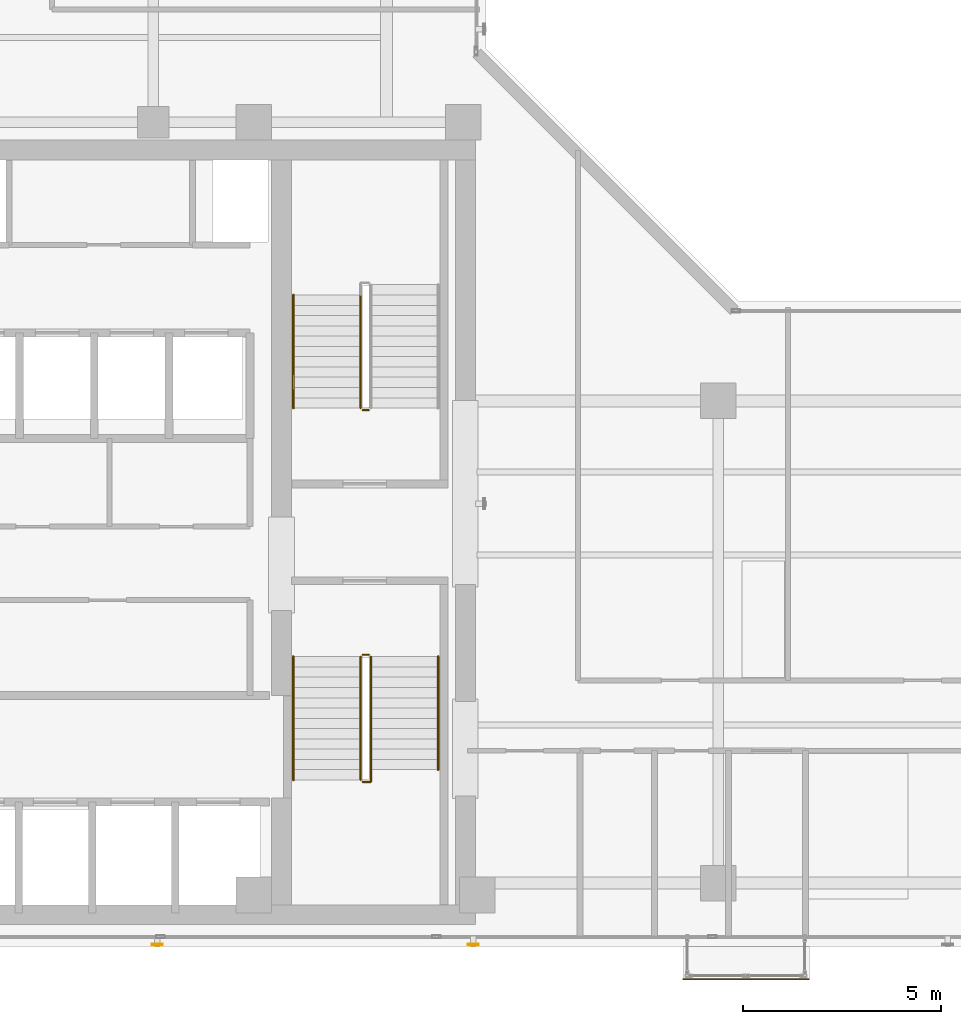
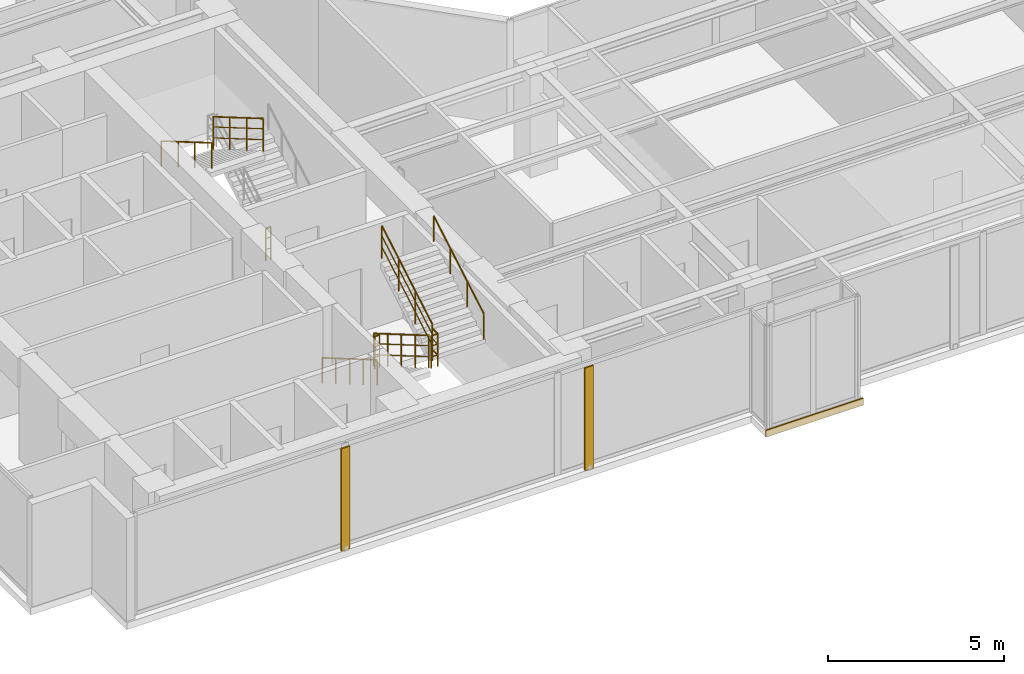
# One storey, part 20 of 24: 9 railings, 2 shading devices, 1 covering.
"""IFC4 building model written with IfcOpenShell, lengths in metres."""

from ifc_helpers import new_model, si_unit, direction, frame, origin, origin_2d, place, context, subcontext, project, spatial, rectangle, hollow_rectangle, circle, extrude, material, layer, layer_set, material_profile, profile_set, type_object, element, save


model = new_model("IFC4")

# Units and contexts
model_context = context("Model", 3, precision=1e-05, world=origin(), true_north=direction((0.0, 1.0)))
body_context = subcontext(model_context, "Body", "Model", "MODEL_VIEW")
ifc_project = project(units=[si_unit("LENGTHUNIT", "METRE"), si_unit("AREAUNIT", "SQUARE_METRE"), si_unit("VOLUMEUNIT", "CUBIC_METRE"), si_unit("PLANEANGLEUNIT", "RADIAN"), si_unit("MASSUNIT", "GRAM", prefix="KILO")], contexts=[model_context])

# Site, building, storey
site_placement = place(None, origin())
site = spatial("IfcSite", under=ifc_project, at=site_placement, CompositionType="ELEMENT")
building_placement = place(site_placement, origin())
building = spatial("IfcBuilding", under=site, at=building_placement, Name="Kolvaren Waterfront Exchange", CompositionType="ELEMENT")
storey_placement = place(building_placement, frame((0.0, 0.0, 293.199951171875)))
storey = spatial("IfcBuildingStorey", under=building, at=storey_placement, Name="L75", CompositionType="ELEMENT", Elevation=293.199951171875)

# Covering
ifc_material_1 = material(Name="Anodised bronze fascia aluminium", Category="aluminium")
ifc_layer = layer(ifc_material_1, 0.034912109375, Name="Anodised bronze fascia aluminium")
ifc_layer_set = layer_set([ifc_layer], Name="Anodised bronze fascia aluminium")
covering_type = type_object("IfcCoveringType", Name="ARC-CLAD-BRONZE-35", PredefinedType="CLADDING", material=ifc_layer_set)
covering_placement = place(storey_placement, frame((27.89990234375, 2.77001953125, -0.2197265625), z_axis=(0.0, 0.0, 1.0), x_axis=(1.0, 0.0, 0.0)))
element("IfcCovering", 1, at=covering_placement, inside=storey, type_object=covering_type, Name="L75 ribbed anodised bronze bay-box fascia", PredefinedType="CLADDING", context=body_context, shape_type="SweptSolid", body=[
    extrude(rectangle(XDim=3.199951171875, YDim=0.034912109375, at=origin_2d()), origin(), (0.0, 0.0, 1.0), 0.239990234375),
])

# Shading devices
ifc_material_2 = material(Name="Anodised bronze aluminium 6063-T6", Category="aluminium")
ifc_material_profile = material_profile(ifc_material_2, hollow_rectangle(XDim=0.054931640625, YDim=0.280029296875, WallThickness=0.00439453125, at=origin_2d()), Name="BRZ-FIN-280x55x4.5")
ifc_profile_set = profile_set([ifc_material_profile], Name="Anodised bronze aluminium 6063-T6")
shading_device_type = type_object("IfcShadingDeviceType", Name="ARC-FIN-280", PredefinedType="USERDEFINED", material=ifc_profile_set)
for number, where, z_axis, x_axis, name in (
    (2, (13.0, 3.639892578125, 0.0), (0.0, 0.0, 1.0), (0.0, -1.0, 0.0), "L75 anodised bronze solar shading fin FIN-L75-S1"),
    (3, (21.0, 3.639892578125, 0.0), (0.0, 0.0, 1.0), (0.0, -1.0, 0.0), "L75 anodised bronze solar shading fin FIN-L75-S2"),
):
    element("IfcShadingDevice", number, at=place(storey_placement, frame(where, z_axis=z_axis, x_axis=x_axis)), inside=storey, type_object=shading_device_type, Name=name, ObjectType="SOLAR FIN", PredefinedType="USERDEFINED", context=body_context, shape_type="SweptSolid", body=[
        extrude(hollow_rectangle(XDim=0.054931640625, YDim=0.280029296875, WallThickness=0.00439453125, at=origin_2d()), origin(), (0.0, 0.0, 1.0), 3.56005859375),
    ])

# Railings
ifc_material_3 = material(Name="Stainless steel 316", Category="steel")
railing_type_1 = type_object("IfcRailingType", Name="ARC-GUARD-STAIR", PredefinedType="GUARDRAIL", material=ifc_material_3)
railing_1_placement = place(storey_placement, frame((18.14990234375, 10.929931640625, 0.152099609375)))
element("IfcRailing", 4, at=railing_1_placement, inside=storey, type_object=railing_type_1, Name="L75 ST1 stair guard 1", PredefinedType="GUARDRAIL", context=body_context, shape_type="SweptSolid", body=[
    extrude(circle(Radius=0.02392578125, at=origin_2d()), frame((0.0, 0.0, 1.1259765625), z_axis=(0.0, -0.86329090724, 0.504706656858), x_axis=(1.0, 0.0, 0.0)), (0.0, 0.0, 1.0), 3.614013671875),
    extrude(circle(Radius=0.01611328125, at=origin_2d()), frame((0.0, 0.0, 0.390869140625), z_axis=(0.0, -0.86329090724, 0.504706656858), x_axis=(1.0, 0.0, 0.0)), (0.0, 0.0, 1.0), 3.614013671875),
    extrude(circle(Radius=0.01611328125, at=origin_2d()), frame((0.0, 0.0, 0.7705078125), z_axis=(0.0, -0.86329090724, 0.504706656858), x_axis=(1.0, 0.0, 0.0)), (0.0, 0.0, 1.0), 3.614013671875),
    extrude(circle(Radius=0.02099609375, at=origin_2d()), origin(), (0.0, 0.0, 1.0), 1.101806640625),
    extrude(circle(Radius=0.02099609375, at=origin_2d()), frame((0.0, -0.780029296875, 0.4560546875)), (0.0, 0.0, 1.0), 1.101806640625),
    extrude(circle(Radius=0.02099609375, at=origin_2d()), frame((0.0, -1.56005859375, 0.912109375)), (0.0, 0.0, 1.0), 1.101806640625),
    extrude(circle(Radius=0.02099609375, at=origin_2d()), frame((0.0, -2.33984375, 1.367919921875)), (0.0, 0.0, 1.0), 1.101806640625),
    extrude(circle(Radius=0.02099609375, at=origin_2d()), frame((0.0, -3.119873046875, 1.823974609375)), (0.0, 0.0, 1.0), 1.101806640625),
])
railing_2_placement = place(storey_placement, frame((18.199951171875, 7.760009765625, 1.97607421875)))
element("IfcRailing", 5, at=railing_2_placement, inside=storey, type_object=railing_type_1, Name="L75 ST1 stair guard 2", PredefinedType="GUARDRAIL", context=body_context, shape_type="SweptSolid", body=[
    extrude(circle(Radius=0.02392578125, at=origin_2d()), frame((0.0, 0.0, 1.1259765625), z_axis=(1.0, 0.0, 0.0), x_axis=(0.0, 1.0, 0.0)), (0.0, 0.0, 1.0), 0.2099609375),
    extrude(circle(Radius=0.01611328125, at=origin_2d()), frame((0.0, 0.0, 0.390869140625), z_axis=(1.0, 0.0, 0.0), x_axis=(0.0, 1.0, 0.0)), (0.0, 0.0, 1.0), 0.2099609375),
    extrude(circle(Radius=0.01611328125, at=origin_2d()), frame((0.0, 0.0, 0.7705078125), z_axis=(1.0, 0.0, 0.0), x_axis=(0.0, 1.0, 0.0)), (0.0, 0.0, 1.0), 0.2099609375),
    extrude(circle(Radius=0.02392578125, at=origin_2d()), frame((0.2099609375, 0.0, 1.1259765625), z_axis=(0.0, 1.0, 0.0), x_axis=(-1.0, 0.0, 0.0)), (0.0, 0.0, 1.0), 0.31005859375),
    extrude(circle(Radius=0.01611328125, at=origin_2d()), frame((0.2099609375, 0.0, 0.390869140625), z_axis=(0.0, 1.0, 0.0), x_axis=(-1.0, 0.0, 0.0)), (0.0, 0.0, 1.0), 0.31005859375),
    extrude(circle(Radius=0.01611328125, at=origin_2d()), frame((0.2099609375, 0.0, 0.7705078125), z_axis=(0.0, 1.0, 0.0), x_axis=(-1.0, 0.0, 0.0)), (0.0, 0.0, 1.0), 0.31005859375),
    extrude(circle(Radius=0.02099609375, at=origin_2d()), origin(), (0.0, 0.0, 1.0), 1.101806640625),
    extrude(circle(Radius=0.02099609375, at=origin_2d()), frame((0.2099609375, 0.0, 0.0)), (0.0, 0.0, 1.0), 1.101806640625),
    extrude(circle(Radius=0.02099609375, at=origin_2d()), frame((0.2099609375, 0.31005859375, 0.0)), (0.0, 0.0, 1.0), 1.101806640625),
])
railing_3_placement = place(storey_placement, frame((18.409912109375, 8.070068359375, 2.1279296875)))
element("IfcRailing", 6, at=railing_3_placement, inside=storey, type_object=railing_type_1, Name="L75 ST1 stair guard 3", PredefinedType="GUARDRAIL", context=body_context, shape_type="SweptSolid", body=[
    extrude(circle(Radius=0.02392578125, at=origin_2d()), frame((0.0, 0.0, 1.1259765625), z_axis=(0.0, 0.863270611444, 0.50474137082), x_axis=(-1.0, 0.0, 0.0)), (0.0, 0.0, 1.0), 3.312744140625),
    extrude(circle(Radius=0.01611328125, at=origin_2d()), frame((0.0, 0.0, 0.390869140625), z_axis=(0.0, 0.863270611444, 0.50474137082), x_axis=(-1.0, 0.0, 0.0)), (0.0, 0.0, 1.0), 3.312744140625),
    extrude(circle(Radius=0.01611328125, at=origin_2d()), frame((0.0, 0.0, 0.7705078125), z_axis=(0.0, 0.863270611444, 0.50474137082), x_axis=(-1.0, 0.0, 0.0)), (0.0, 0.0, 1.0), 3.312744140625),
    extrude(circle(Radius=0.02099609375, at=origin_2d()), origin(), (0.0, 0.0, 1.0), 1.101806640625),
    extrude(circle(Radius=0.02099609375, at=origin_2d()), frame((0.0, 0.953369140625, 0.557373046875)), (0.0, 0.0, 1.0), 1.101806640625),
    extrude(circle(Radius=0.02099609375, at=origin_2d()), frame((0.0, 1.906494140625, 1.11474609375)), (0.0, 0.0, 1.0), 1.101806640625),
    extrude(circle(Radius=0.02099609375, at=origin_2d()), frame((0.0, 2.85986328125, 1.672119140625)), (0.0, 0.0, 1.0), 1.101806640625),
])
railing_4_placement = place(storey_placement, frame((18.199951171875, 10.97998046875, 0.0)))
element("IfcRailing", 7, at=railing_4_placement, inside=storey, type_object=railing_type_1, Name="L75 ST1 stair guard 4", PredefinedType="GUARDRAIL", context=body_context, shape_type="SweptSolid", body=[
    extrude(circle(Radius=0.02392578125, at=origin_2d()), frame((0.0, 0.0, 1.1259765625), z_axis=(1.0, 0.0, 0.0), x_axis=(0.0, 1.0, 0.0)), (0.0, 0.0, 1.0), 0.16015625),
    extrude(circle(Radius=0.01611328125, at=origin_2d()), frame((0.0, 0.0, 0.390869140625), z_axis=(1.0, 0.0, 0.0), x_axis=(0.0, 1.0, 0.0)), (0.0, 0.0, 1.0), 0.16015625),
    extrude(circle(Radius=0.01611328125, at=origin_2d()), frame((0.0, 0.0, 0.7705078125), z_axis=(1.0, 0.0, 0.0), x_axis=(0.0, 1.0, 0.0)), (0.0, 0.0, 1.0), 0.16015625),
    extrude(circle(Radius=0.02099609375, at=origin_2d()), origin(), (0.0, 0.0, 1.0), 1.101806640625),
    extrude(circle(Radius=0.02099609375, at=origin_2d()), frame((0.16015625, 0.0, 0.0)), (0.0, 0.0, 1.0), 1.101806640625),
])
railing_5_placement = place(storey_placement, frame((18.14990234375, 20.080078125, 2.1279296875)))
element("IfcRailing", 8, at=railing_5_placement, inside=storey, type_object=railing_type_1, Name="L75 ST2 stair guard 3", PredefinedType="GUARDRAIL", context=body_context, shape_type="SweptSolid", body=[
    extrude(circle(Radius=0.02392578125, at=origin_2d()), frame((0.0, 0.0, 1.1259765625), z_axis=(0.0, -0.863289384635, 0.504709261235), x_axis=(1.0, 0.0, 0.0)), (0.0, 0.0, 1.0), 3.31298828125),
    extrude(circle(Radius=0.01611328125, at=origin_2d()), frame((0.0, 0.0, 0.390869140625), z_axis=(0.0, -0.863289384635, 0.504709261235), x_axis=(1.0, 0.0, 0.0)), (0.0, 0.0, 1.0), 3.31298828125),
    extrude(circle(Radius=0.01611328125, at=origin_2d()), frame((0.0, 0.0, 0.7705078125), z_axis=(0.0, -0.863289384635, 0.504709261235), x_axis=(1.0, 0.0, 0.0)), (0.0, 0.0, 1.0), 3.31298828125),
    extrude(circle(Radius=0.02099609375, at=origin_2d()), origin(), (0.0, 0.0, 1.0), 1.101806640625),
    extrude(circle(Radius=0.02099609375, at=origin_2d()), frame((0.0, -0.953369140625, 0.557373046875)), (0.0, 0.0, 1.0), 1.101806640625),
    extrude(circle(Radius=0.02099609375, at=origin_2d()), frame((0.0, -1.90673828125, 1.11474609375)), (0.0, 0.0, 1.0), 1.101806640625),
    extrude(circle(Radius=0.02099609375, at=origin_2d()), frame((0.0, -2.860107421875, 1.672119140625)), (0.0, 0.0, 1.0), 1.101806640625),
])
railing_6_placement = place(storey_placement, frame((18.360107421875, 17.169921875, 0.0)))
element("IfcRailing", 9, at=railing_6_placement, inside=storey, type_object=railing_type_1, Name="L75 ST2 stair guard 4", PredefinedType="GUARDRAIL", context=body_context, shape_type="SweptSolid", body=[
    extrude(circle(Radius=0.02392578125, at=origin_2d()), frame((0.0, 0.0, 1.1259765625), z_axis=(-1.0, 0.0, 0.0), x_axis=(0.0, -1.0, 0.0)), (0.0, 0.0, 1.0), 0.16015625),
    extrude(circle(Radius=0.01611328125, at=origin_2d()), frame((0.0, 0.0, 0.390869140625), z_axis=(-1.0, 0.0, 0.0), x_axis=(0.0, -1.0, 0.0)), (0.0, 0.0, 1.0), 0.16015625),
    extrude(circle(Radius=0.01611328125, at=origin_2d()), frame((0.0, 0.0, 0.7705078125), z_axis=(-1.0, 0.0, 0.0), x_axis=(0.0, -1.0, 0.0)), (0.0, 0.0, 1.0), 0.16015625),
    extrude(circle(Radius=0.02099609375, at=origin_2d()), origin(), (0.0, 0.0, 1.0), 1.101806640625),
    extrude(circle(Radius=0.02099609375, at=origin_2d()), frame((-0.16015625, 0.0, 0.0)), (0.0, 0.0, 1.0), 1.101806640625),
])
railing_type_2 = type_object("IfcRailingType", Name="ARC-HANDRAIL-900", PredefinedType="HANDRAIL", material=ifc_material_3)
railing_7_placement = place(storey_placement, frame((16.449951171875, 10.929931640625, 0.152099609375)))
element("IfcRailing", 10, at=railing_7_placement, inside=storey, type_object=railing_type_2, Name="L75 ST1 stair handrail 1", PredefinedType="HANDRAIL", context=body_context, shape_type="SweptSolid", body=[
    extrude(circle(Radius=0.02392578125, at=origin_2d()), frame((0.0, 0.0, 0.8759765625), z_axis=(0.0, -0.86329090724, 0.504706656858), x_axis=(1.0, 0.0, 0.0)), (0.0, 0.0, 1.0), 3.614013671875),
    extrude(circle(Radius=0.02099609375, at=origin_2d()), origin(), (0.0, 0.0, 1.0), 0.851806640625),
    extrude(circle(Radius=0.02099609375, at=origin_2d()), frame((0.0, -0.780029296875, 0.4560546875)), (0.0, 0.0, 1.0), 0.851806640625),
    extrude(circle(Radius=0.02099609375, at=origin_2d()), frame((0.0, -1.56005859375, 0.912109375)), (0.0, 0.0, 1.0), 0.851806640625),
    extrude(circle(Radius=0.02099609375, at=origin_2d()), frame((0.0, -2.33984375, 1.367919921875)), (0.0, 0.0, 1.0), 0.851806640625),
    extrude(circle(Radius=0.02099609375, at=origin_2d()), frame((0.0, -3.119873046875, 1.823974609375)), (0.0, 0.0, 1.0), 0.851806640625),
])
railing_8_placement = place(storey_placement, frame((20.110107421875, 8.070068359375, 2.1279296875)))
element("IfcRailing", 11, at=railing_8_placement, inside=storey, type_object=railing_type_2, Name="L75 ST1 stair handrail 2", PredefinedType="HANDRAIL", context=body_context, shape_type="SweptSolid", body=[
    extrude(circle(Radius=0.02392578125, at=origin_2d()), frame((0.0, 0.0, 0.8759765625), z_axis=(0.0, 0.863270611444, 0.50474137082), x_axis=(-1.0, 0.0, 0.0)), (0.0, 0.0, 1.0), 3.312744140625),
    extrude(circle(Radius=0.02099609375, at=origin_2d()), origin(), (0.0, 0.0, 1.0), 0.851806640625),
    extrude(circle(Radius=0.02099609375, at=origin_2d()), frame((0.0, 0.953369140625, 0.557373046875)), (0.0, 0.0, 1.0), 0.851806640625),
    extrude(circle(Radius=0.02099609375, at=origin_2d()), frame((0.0, 1.906494140625, 1.11474609375)), (0.0, 0.0, 1.0), 0.851806640625),
    extrude(circle(Radius=0.02099609375, at=origin_2d()), frame((0.0, 2.85986328125, 1.672119140625)), (0.0, 0.0, 1.0), 0.851806640625),
])
railing_9_placement = place(storey_placement, frame((16.449951171875, 20.080078125, 2.1279296875)))
element("IfcRailing", 12, at=railing_9_placement, inside=storey, type_object=railing_type_2, Name="L75 ST2 stair handrail 2", PredefinedType="HANDRAIL", context=body_context, shape_type="SweptSolid", body=[
    extrude(circle(Radius=0.02392578125, at=origin_2d()), frame((0.0, 0.0, 0.8759765625), z_axis=(0.0, -0.863289384635, 0.504709261235), x_axis=(1.0, 0.0, 0.0)), (0.0, 0.0, 1.0), 3.31298828125),
    extrude(circle(Radius=0.02099609375, at=origin_2d()), origin(), (0.0, 0.0, 1.0), 0.851806640625),
    extrude(circle(Radius=0.02099609375, at=origin_2d()), frame((0.0, -0.953369140625, 0.557373046875)), (0.0, 0.0, 1.0), 0.851806640625),
    extrude(circle(Radius=0.02099609375, at=origin_2d()), frame((0.0, -1.90673828125, 1.11474609375)), (0.0, 0.0, 1.0), 0.851806640625),
    extrude(circle(Radius=0.02099609375, at=origin_2d()), frame((0.0, -2.860107421875, 1.672119140625)), (0.0, 0.0, 1.0), 0.851806640625),
])

save(model, "model.ifc")
